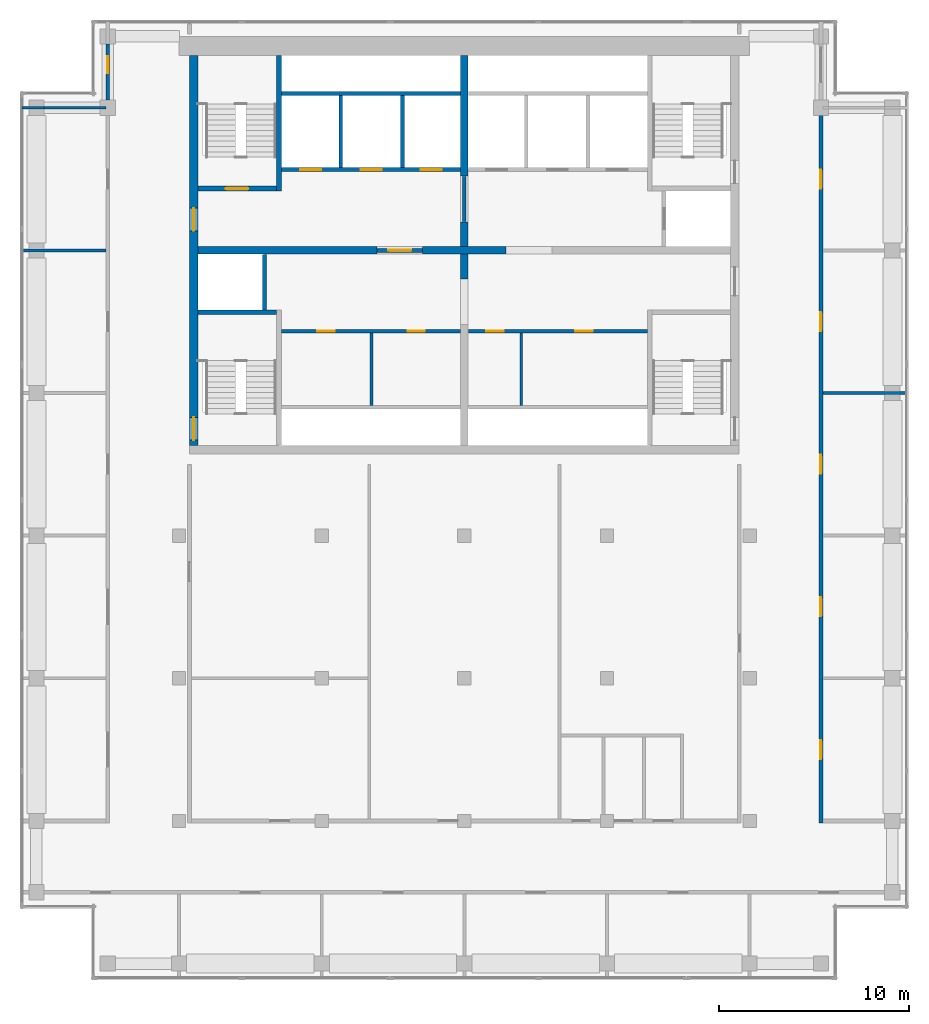
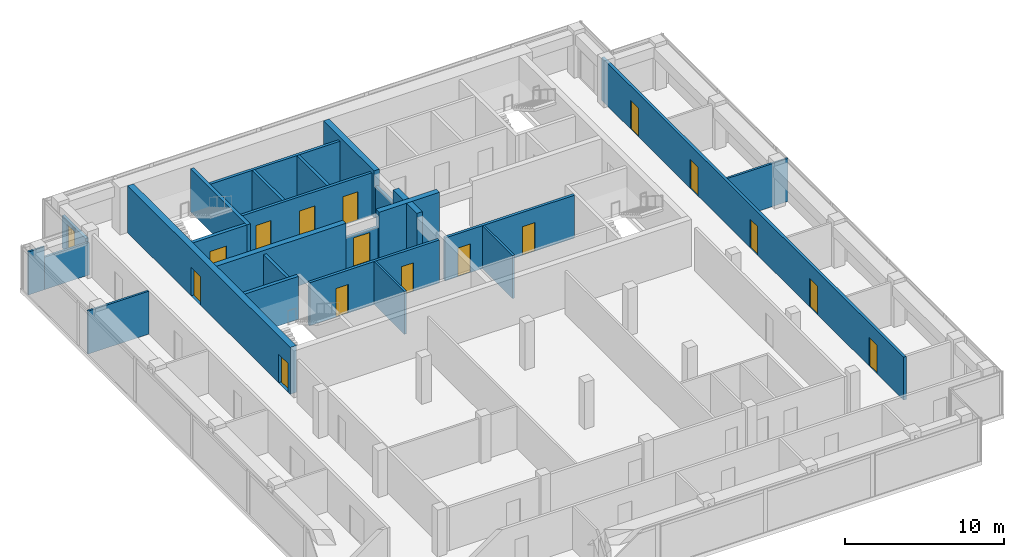
# One storey, part 7 of 9: 26 walls, 17 doors, 17 openings.
"""IFC4 building model written with IfcOpenShell, lengths in metres."""

from ifc_helpers import new_model, si_unit, direction, frame, frame_2d, origin, place, context, subcontext, project, spatial, rectangle, extrude, material, layer, layer_set, type_object, element, fill, save


model = new_model("IFC4")

# Units and contexts
model_context = context("Model", 3, precision=1e-05, world=origin(), true_north=direction((0.0, 1.0)))
body_context = subcontext(model_context, "Body", "Model", "MODEL_VIEW")
ifc_project = project(units=[si_unit("LENGTHUNIT", "METRE"), si_unit("AREAUNIT", "SQUARE_METRE"), si_unit("VOLUMEUNIT", "CUBIC_METRE"), si_unit("PLANEANGLEUNIT", "RADIAN"), si_unit("MASSUNIT", "GRAM", prefix="KILO")], contexts=[model_context])

# Site, building, storey
site_placement = place(None, origin())
site = spatial("IfcSite", under=ifc_project, at=site_placement, CompositionType="ELEMENT")
building_placement = place(site_placement, origin())
building = spatial("IfcBuilding", under=site, at=building_placement, Name="Pilkhan Gate Tower", CompositionType="ELEMENT")
storey_placement = place(building_placement, frame((0.0, 0.0, 262.10009765625)))
storey = spatial("IfcBuildingStorey", under=building, at=storey_placement, Name="L68", CompositionType="ELEMENT", Elevation=262.10009765625)

# Wall, openings, doors
ifc_material_1 = material(Name="Concrete C50/60", Category="concrete")
ifc_layer_1 = layer(ifc_material_1, 0.449951171875)
ifc_layer_set_1 = layer_set([ifc_layer_1], Name="Core wall CW450 C50/60")
wall_type_1 = type_object("IfcWallType", Name="Core wall CW450 C50/60", PredefinedType="SHEAR", material=ifc_layer_set_1)
wall_1_placement = place(storey_placement, frame((60.77490234375, 92.75, 0.0), z_axis=(0.0, 0.0, 1.0), x_axis=(0.0, -1.0, 0.0)))
wall_1 = element("IfcWall", 1, at=wall_1_placement, inside=storey, type_object=wall_type_1, Name="Core wall W L68", PredefinedType="SHEAR", context=body_context, shape_type="SweptSolid", body=[
    extrude(rectangle(XDim=20.5, YDim=0.449951171875, at=frame_2d((10.25, 0.0))), origin(), (0.0, 0.0, 1.0), 3.599853515625),
])
opening_1_placement = place(wall_1_placement, frame((19.02490234375, 0.0, 0.0)))
opening_1 = element("IfcOpeningElement", 2, at=opening_1_placement, cuts=wall_1, Name="Opening L68-04", PredefinedType="OPENING", context=body_context, shape_type="SweptSolid", body=[
    extrude(rectangle(XDim=1.199951171875, YDim=2.199951171875, at=frame_2d((0.60009765625, 1.10009765625))), frame((0.0, 0.23486328125, 0.0), z_axis=(0.0, -1.0, 0.0), x_axis=(1.0, 0.0, 0.0)), (0.0, 0.0, 1.0), 0.469970703125),
])
opening_2_placement = place(wall_1_placement, frame((8.02490234375, 0.0, 0.0)))
opening_2 = element("IfcOpeningElement", 3, at=opening_2_placement, cuts=wall_1, Name="Opening L68-10", PredefinedType="OPENING", context=body_context, shape_type="SweptSolid", body=[
    extrude(rectangle(XDim=1.199951171875, YDim=2.199951171875, at=frame_2d((0.60009765625, 1.10009765625))), frame((0.0, 0.23486328125, 0.0), z_axis=(0.0, -1.0, 0.0), x_axis=(1.0, 0.0, 0.0)), (0.0, 0.0, 1.0), 0.469970703125),
])
ifc_material_2 = material(Name="Steel door, 120 minute fire resisting, self-closing", Category="steel")
door_type_1 = type_object("IfcDoorType", Name="Firefighting lobby door D10 1200x2200", OperationType="SINGLE_SWING_LEFT", PredefinedType="DOOR", material=ifc_material_2)
door_1_placement = place(opening_2_placement, origin())
door_1 = element("IfcDoor", 4, at=door_1_placement, inside=storey, type_object=door_type_1, Name="Core door", OperationType="SINGLE_SWING_LEFT", OverallHeight=2.199951171875, OverallWidth=1.199951171875, PredefinedType="DOOR", context=body_context, shape_type="SweptSolid", body=[
    extrude(rectangle(XDim=1.199951171875, YDim=2.199951171875, at=frame_2d((0.60009765625, 1.10009765625))), frame((0.0, 0.02490234375, 0.0), z_axis=(0.0, -1.0, 0.0), x_axis=(1.0, 0.0, 0.0)), (0.0, 0.0, 1.0), 0.050048828125),
])
fill(opening_2, door_1)
ifc_material_3 = material(Name="Steel door, 120 minute fire resisting, panic bar", Category="steel")
door_type_2 = type_object("IfcDoorType", Name="Stair door D11 1200x2200", OperationType="SINGLE_SWING_LEFT", PredefinedType="DOOR", material=ifc_material_3)
door_2_placement = place(opening_1_placement, origin())
door_2 = element("IfcDoor", 5, at=door_2_placement, inside=storey, type_object=door_type_2, Name="Stair ST2 door", OperationType="SINGLE_SWING_LEFT", OverallHeight=2.199951171875, OverallWidth=1.199951171875, PredefinedType="DOOR", context=body_context, shape_type="SweptSolid", body=[
    extrude(rectangle(XDim=1.199951171875, YDim=2.199951171875, at=frame_2d((0.60009765625, 1.10009765625))), frame((0.0, 0.02490234375, 0.0), z_axis=(0.0, -1.0, 0.0), x_axis=(1.0, 0.0, 0.0)), (0.0, 0.0, 1.0), 0.050048828125),
])
fill(opening_1, door_2)

# Wall, opening, door
ifc_material_4 = material(Name="Dense blockwork", Category="masonry")
ifc_layer_2 = layer(ifc_material_4, 0.199951171875)
ifc_layer_set_2 = layer_set([ifc_layer_2], Name="Corridor wall FW200")
wall_type_2 = type_object("IfcWallType", Name="Corridor wall FW200", PredefinedType="PARTITIONING", material=ifc_layer_set_2)
wall_2_placement = place(storey_placement, frame((56.25, 90.39990234375, 0.0), z_axis=(0.0, 0.0, 1.0), x_axis=(0.0, 1.0, 0.0)))
wall_2 = element("IfcWall", 6, at=wall_2_placement, inside=storey, type_object=wall_type_2, Name="Partition L68", PredefinedType="PARTITIONING", context=body_context, shape_type="SweptSolid", body=[
    extrude(rectangle(XDim=2.9501953125, YDim=0.199951171875, at=frame_2d((1.47509765625, 0.0))), origin(), (0.0, 0.0, 1.0), 2.5),
])
opening_3_placement = place(wall_2_placement, frame((1.39990234375, 0.0, 0.0)))
opening_3 = element("IfcOpeningElement", 7, at=opening_3_placement, cuts=wall_2, Name="Opening L68-31", PredefinedType="OPENING", context=body_context, shape_type="SweptSolid", body=[
    extrude(rectangle(XDim=0.89990234375, YDim=2.199951171875, at=frame_2d((0.449951171875, 1.10009765625))), frame((0.0, 0.10986328125, 0.0), z_axis=(0.0, -1.0, 0.0), x_axis=(1.0, 0.0, 0.0)), (0.0, 0.0, 1.0), 0.219970703125),
])
ifc_material_5 = material(Name="Timber flush door, 60 minute fire resisting, self-closing", Category="wood")
door_type_3 = type_object("IfcDoorType", Name="Store door D05 900x2200", OperationType="SINGLE_SWING_LEFT", PredefinedType="DOOR", material=ifc_material_5)
door_3_placement = place(opening_3_placement, origin())
door_3 = element("IfcDoor", 8, at=door_3_placement, inside=storey, type_object=door_type_3, Name="Store door", OperationType="SINGLE_SWING_LEFT", OverallHeight=2.199951171875, OverallWidth=0.89990234375, PredefinedType="DOOR", context=body_context, shape_type="SweptSolid", body=[
    extrude(rectangle(XDim=0.89990234375, YDim=2.199951171875, at=frame_2d((0.449951171875, 1.10009765625))), frame((0.0, 0.02490234375, 0.0), z_axis=(0.0, -1.0, 0.0), x_axis=(1.0, 0.0, 0.0)), (0.0, 0.0, 1.0), 0.050048828125),
])
fill(opening_3, door_3)

# Wall, openings, doors
wall_3_placement = place(storey_placement, frame((93.75, 52.39990234375, 0.0), z_axis=(0.0, 0.0, 1.0), x_axis=(0.0, 1.0, 0.0)))
wall_3 = element("IfcWall", 9, at=wall_3_placement, inside=storey, type_object=wall_type_2, Name="Partition L68", PredefinedType="PARTITIONING", context=body_context, shape_type="SweptSolid", body=[
    extrude(rectangle(XDim=38.0, YDim=0.199951171875, at=frame_2d((19.0, 0.0))), origin(), (0.0, 0.0, 1.0), 3.2998046875),
])
opening_4_placement = place(wall_3_placement, frame((3.35009765625, 0.0, 0.0)))
opening_4 = element("IfcOpeningElement", 10, at=opening_4_placement, cuts=wall_3, Name="Opening L68-32", PredefinedType="OPENING", context=body_context, shape_type="SweptSolid", body=[
    extrude(rectangle(XDim=1.0, YDim=2.199951171875, at=frame_2d((0.5, 1.10009765625))), frame((0.0, 0.10986328125, 0.0), z_axis=(0.0, -1.0, 0.0), x_axis=(1.0, 0.0, 0.0)), (0.0, 0.0, 1.0), 0.219970703125),
])
opening_5_placement = place(wall_3_placement, frame((10.85009765625, 0.0, 0.0)))
opening_5 = element("IfcOpeningElement", 11, at=opening_5_placement, cuts=wall_3, Name="Opening L68-33", PredefinedType="OPENING", context=body_context, shape_type="SweptSolid", body=[
    extrude(rectangle(XDim=1.0, YDim=2.199951171875, at=frame_2d((0.5, 1.10009765625))), frame((0.0, 0.10986328125, 0.0), z_axis=(0.0, -1.0, 0.0), x_axis=(1.0, 0.0, 0.0)), (0.0, 0.0, 1.0), 0.219970703125),
])
opening_6_placement = place(wall_3_placement, frame((18.35009765625, 0.0, 0.0)))
opening_6 = element("IfcOpeningElement", 12, at=opening_6_placement, cuts=wall_3, Name="Opening L68-34", PredefinedType="OPENING", context=body_context, shape_type="SweptSolid", body=[
    extrude(rectangle(XDim=1.0, YDim=2.199951171875, at=frame_2d((0.5, 1.10009765625))), frame((0.0, 0.10986328125, 0.0), z_axis=(0.0, -1.0, 0.0), x_axis=(1.0, 0.0, 0.0)), (0.0, 0.0, 1.0), 0.219970703125),
])
opening_7_placement = place(wall_3_placement, frame((25.85009765625, 0.0, 0.0)))
opening_7 = element("IfcOpeningElement", 13, at=opening_7_placement, cuts=wall_3, Name="Opening L68-35", PredefinedType="OPENING", context=body_context, shape_type="SweptSolid", body=[
    extrude(rectangle(XDim=1.0, YDim=2.199951171875, at=frame_2d((0.5, 1.10009765625))), frame((0.0, 0.10986328125, 0.0), z_axis=(0.0, -1.0, 0.0), x_axis=(1.0, 0.0, 0.0)), (0.0, 0.0, 1.0), 0.219970703125),
])
opening_8_placement = place(wall_3_placement, frame((33.35009765625, 0.0, 0.0)))
opening_8 = element("IfcOpeningElement", 14, at=opening_8_placement, cuts=wall_3, Name="Opening L68-36", PredefinedType="OPENING", context=body_context, shape_type="SweptSolid", body=[
    extrude(rectangle(XDim=1.0, YDim=2.199951171875, at=frame_2d((0.5, 1.10009765625))), frame((0.0, 0.10986328125, 0.0), z_axis=(0.0, -1.0, 0.0), x_axis=(1.0, 0.0, 0.0)), (0.0, 0.0, 1.0), 0.219970703125),
])
ifc_material_6 = material(Name="Timber flush door, 30 minute fire resisting", Category="wood")
door_type_4 = type_object("IfcDoorType", Name="Room door D03 1000x2200", OperationType="SINGLE_SWING_LEFT", PredefinedType="DOOR", material=ifc_material_6)
door_4_placement = place(opening_4_placement, origin())
door_4 = element("IfcDoor", 15, at=door_4_placement, inside=storey, type_object=door_type_4, Name="Room door", OperationType="SINGLE_SWING_LEFT", OverallHeight=2.199951171875, OverallWidth=1.0, PredefinedType="DOOR", context=body_context, shape_type="SweptSolid", body=[
    extrude(rectangle(XDim=1.0, YDim=2.199951171875, at=frame_2d((0.5, 1.10009765625))), frame((0.0, 0.02490234375, 0.0), z_axis=(0.0, -1.0, 0.0), x_axis=(1.0, 0.0, 0.0)), (0.0, 0.0, 1.0), 0.050048828125),
])
fill(opening_4, door_4)
door_5_placement = place(opening_5_placement, origin())
door_5 = element("IfcDoor", 16, at=door_5_placement, inside=storey, type_object=door_type_4, Name="Room door", OperationType="SINGLE_SWING_LEFT", OverallHeight=2.199951171875, OverallWidth=1.0, PredefinedType="DOOR", context=body_context, shape_type="SweptSolid", body=[
    extrude(rectangle(XDim=1.0, YDim=2.199951171875, at=frame_2d((0.5, 1.10009765625))), frame((0.0, 0.02490234375, 0.0), z_axis=(0.0, -1.0, 0.0), x_axis=(1.0, 0.0, 0.0)), (0.0, 0.0, 1.0), 0.050048828125),
])
fill(opening_5, door_5)
door_6_placement = place(opening_6_placement, origin())
door_6 = element("IfcDoor", 17, at=door_6_placement, inside=storey, type_object=door_type_4, Name="Room door", OperationType="SINGLE_SWING_RIGHT", OverallHeight=2.199951171875, OverallWidth=1.0, PredefinedType="DOOR", context=body_context, shape_type="SweptSolid", body=[
    extrude(rectangle(XDim=1.0, YDim=2.199951171875, at=frame_2d((0.5, 1.10009765625))), frame((0.0, 0.02490234375, 0.0), z_axis=(0.0, -1.0, 0.0), x_axis=(1.0, 0.0, 0.0)), (0.0, 0.0, 1.0), 0.050048828125),
])
fill(opening_6, door_6)
door_7_placement = place(opening_7_placement, origin())
door_7 = element("IfcDoor", 18, at=door_7_placement, inside=storey, type_object=door_type_4, Name="Room door", OperationType="SINGLE_SWING_LEFT", OverallHeight=2.199951171875, OverallWidth=1.0, PredefinedType="DOOR", context=body_context, shape_type="SweptSolid", body=[
    extrude(rectangle(XDim=1.0, YDim=2.199951171875, at=frame_2d((0.5, 1.10009765625))), frame((0.0, 0.02490234375, 0.0), z_axis=(0.0, -1.0, 0.0), x_axis=(1.0, 0.0, 0.0)), (0.0, 0.0, 1.0), 0.050048828125),
])
fill(opening_7, door_7)
door_8_placement = place(opening_8_placement, origin())
door_8 = element("IfcDoor", 19, at=door_8_placement, inside=storey, type_object=door_type_4, Name="Room door", OperationType="SINGLE_SWING_LEFT", OverallHeight=2.199951171875, OverallWidth=1.0, PredefinedType="DOOR", context=body_context, shape_type="SweptSolid", body=[
    extrude(rectangle(XDim=1.0, YDim=2.199951171875, at=frame_2d((0.5, 1.10009765625))), frame((0.0, 0.02490234375, 0.0), z_axis=(0.0, -1.0, 0.0), x_axis=(1.0, 0.0, 0.0)), (0.0, 0.0, 1.0), 0.050048828125),
])
fill(opening_8, door_8)

ifc_layer_3 = layer(ifc_material_4, 0.199951171875)
ifc_layer_set_3 = layer_set([ifc_layer_3], Name="Lobby wall LW200")
wall_type_3 = type_object("IfcWallType", Name="Lobby wall LW200", PredefinedType="PARTITIONING", material=ifc_layer_set_3)
wall_4_placement = place(storey_placement, frame((65.375, 78.25, 0.0), z_axis=(0.0, 0.0, 1.0), x_axis=(1.0, 0.0, 0.0)))
wall_4 = element("IfcWall", 20, at=wall_4_placement, inside=storey, type_object=wall_type_3, Name="Partition L68", PredefinedType="PARTITIONING", context=body_context, shape_type="SweptSolid", body=[
    extrude(rectangle(XDim=9.4150390625, YDim=0.199951171875, at=frame_2d((4.70751953125, 0.0))), origin(), (0.0, 0.0, 1.0), 3.2998046875),
])
opening_9_placement = place(wall_4_placement, frame((1.89990234375, 0.0, 0.0)))
opening_9 = element("IfcOpeningElement", 21, at=opening_9_placement, cuts=wall_4, Name="Opening L68-11", PredefinedType="OPENING", context=body_context, shape_type="SweptSolid", body=[
    extrude(rectangle(XDim=0.89990234375, YDim=2.199951171875, at=frame_2d((0.449951171875, 1.10009765625))), frame((0.0, 0.10986328125, 0.0), z_axis=(0.0, -1.0, 0.0), x_axis=(1.0, 0.0, 0.0)), (0.0, 0.0, 1.0), 0.219970703125),
])
opening_10_placement = place(wall_4_placement, frame((6.64990234375, 0.0, 0.0)))
opening_10 = element("IfcOpeningElement", 22, at=opening_10_placement, cuts=wall_4, Name="Opening L68-12", PredefinedType="OPENING", context=body_context, shape_type="SweptSolid", body=[
    extrude(rectangle(XDim=0.89990234375, YDim=2.199951171875, at=frame_2d((0.449951171875, 1.10009765625))), frame((0.0, 0.10986328125, 0.0), z_axis=(0.0, -1.0, 0.0), x_axis=(1.0, 0.0, 0.0)), (0.0, 0.0, 1.0), 0.219970703125),
])
door_9_placement = place(opening_9_placement, origin())
door_9 = element("IfcDoor", 23, at=door_9_placement, inside=storey, type_object=door_type_3, Name="Store door", OperationType="SINGLE_SWING_RIGHT", OverallHeight=2.199951171875, OverallWidth=0.89990234375, PredefinedType="DOOR", context=body_context, shape_type="SweptSolid", body=[
    extrude(rectangle(XDim=0.89990234375, YDim=2.199951171875, at=frame_2d((0.449951171875, 1.10009765625))), frame((0.0, 0.02490234375, 0.0), z_axis=(0.0, -1.0, 0.0), x_axis=(1.0, 0.0, 0.0)), (0.0, 0.0, 1.0), 0.050048828125),
])
fill(opening_9, door_9)
door_10_placement = place(opening_10_placement, origin())
door_10 = element("IfcDoor", 24, at=door_10_placement, inside=storey, type_object=door_type_3, Name="Store door", OperationType="SINGLE_SWING_LEFT", OverallHeight=2.199951171875, OverallWidth=0.89990234375, PredefinedType="DOOR", context=body_context, shape_type="SweptSolid", body=[
    extrude(rectangle(XDim=0.89990234375, YDim=2.199951171875, at=frame_2d((0.449951171875, 1.10009765625))), frame((0.0, 0.02490234375, 0.0), z_axis=(0.0, -1.0, 0.0), x_axis=(1.0, 0.0, 0.0)), (0.0, 0.0, 1.0), 0.050048828125),
])
fill(opening_10, door_10)

wall_5_placement = place(storey_placement, frame((75.2099609375, 78.25, 0.0), z_axis=(0.0, 0.0, 1.0), x_axis=(1.0, 0.0, 0.0)))
wall_5 = element("IfcWall", 25, at=wall_5_placement, inside=storey, type_object=wall_type_3, Name="Partition L68", PredefinedType="PARTITIONING", context=body_context, shape_type="SweptSolid", body=[
    extrude(rectangle(XDim=9.4150390625, YDim=0.199951171875, at=frame_2d((4.70751953125, 0.0))), origin(), (0.0, 0.0, 1.0), 3.2998046875),
])
opening_11_placement = place(wall_5_placement, frame((0.949951171875, 0.0, 0.0)))
opening_11 = element("IfcOpeningElement", 26, at=opening_11_placement, cuts=wall_5, Name="Opening L68-13", PredefinedType="OPENING", context=body_context, shape_type="SweptSolid", body=[
    extrude(rectangle(XDim=0.89990234375, YDim=2.199951171875, at=frame_2d((0.449951171875, 1.10009765625))), frame((0.0, 0.10986328125, 0.0), z_axis=(0.0, -1.0, 0.0), x_axis=(1.0, 0.0, 0.0)), (0.0, 0.0, 1.0), 0.219970703125),
])
opening_12_placement = place(wall_5_placement, frame((5.6298828125, 0.0, 0.0)))
opening_12 = element("IfcOpeningElement", 27, at=opening_12_placement, cuts=wall_5, Name="Opening L68-14", PredefinedType="OPENING", context=body_context, shape_type="SweptSolid", body=[
    extrude(rectangle(XDim=0.89990234375, YDim=2.199951171875, at=frame_2d((0.449951171875, 1.10009765625))), frame((0.0, 0.10986328125, 0.0), z_axis=(0.0, -1.0, 0.0), x_axis=(1.0, 0.0, 0.0)), (0.0, 0.0, 1.0), 0.219970703125),
])
door_11_placement = place(opening_11_placement, origin())
door_11 = element("IfcDoor", 28, at=door_11_placement, inside=storey, type_object=door_type_3, Name="Store door", OperationType="SINGLE_SWING_RIGHT", OverallHeight=2.199951171875, OverallWidth=0.89990234375, PredefinedType="DOOR", context=body_context, shape_type="SweptSolid", body=[
    extrude(rectangle(XDim=0.89990234375, YDim=2.199951171875, at=frame_2d((0.449951171875, 1.10009765625))), frame((0.0, 0.02490234375, 0.0), z_axis=(0.0, -1.0, 0.0), x_axis=(1.0, 0.0, 0.0)), (0.0, 0.0, 1.0), 0.050048828125),
])
fill(opening_11, door_11)
door_12_placement = place(opening_12_placement, origin())
door_12 = element("IfcDoor", 29, at=door_12_placement, inside=storey, type_object=door_type_3, Name="Store door", OperationType="SINGLE_SWING_RIGHT", OverallHeight=2.199951171875, OverallWidth=0.89990234375, PredefinedType="DOOR", context=body_context, shape_type="SweptSolid", body=[
    extrude(rectangle(XDim=0.89990234375, YDim=2.199951171875, at=frame_2d((0.449951171875, 1.10009765625))), frame((0.0, 0.02490234375, 0.0), z_axis=(0.0, -1.0, 0.0), x_axis=(1.0, 0.0, 0.0)), (0.0, 0.0, 1.0), 0.050048828125),
])
fill(opening_12, door_12)

# Wall, opening, door
wall_6_placement = place(storey_placement, frame((70.409912109375, 82.5, 0.0), z_axis=(0.0, 0.0, 1.0), x_axis=(1.0, 0.0, 0.0)))
wall_6 = element("IfcWall", 30, at=wall_6_placement, inside=storey, type_object=wall_type_3, Name="Partition L68", PredefinedType="PARTITIONING", context=body_context, shape_type="SweptSolid", body=[
    extrude(rectangle(XDim=2.380126953125, YDim=0.199951171875, at=frame_2d((1.18994140625, 0.0))), origin(), (0.0, 0.0, 1.0), 2.39990234375),
])
opening_13_placement = place(wall_6_placement, frame((0.60009765625, 0.0, 0.0)))
opening_13 = element("IfcOpeningElement", 31, at=opening_13_placement, cuts=wall_6, Name="Opening L68-01", PredefinedType="OPENING", context=body_context, shape_type="SweptSolid", body=[
    extrude(rectangle(XDim=1.199951171875, YDim=2.199951171875, at=frame_2d((0.60009765625, 1.10009765625))), frame((0.0, 0.10986328125, 0.0), z_axis=(0.0, -1.0, 0.0), x_axis=(1.0, 0.0, 0.0)), (0.0, 0.0, 1.0), 0.219970703125),
])
door_13_placement = place(opening_13_placement, origin())
door_13 = element("IfcDoor", 32, at=door_13_placement, inside=storey, type_object=door_type_1, Name="Firefighting lobby door", OperationType="SINGLE_SWING_LEFT", OverallHeight=2.199951171875, OverallWidth=1.199951171875, PredefinedType="DOOR", context=body_context, shape_type="SweptSolid", body=[
    extrude(rectangle(XDim=1.199951171875, YDim=2.199951171875, at=frame_2d((0.60009765625, 1.10009765625))), frame((0.0, 0.02490234375, 0.0), z_axis=(0.0, -1.0, 0.0), x_axis=(1.0, 0.0, 0.0)), (0.0, 0.0, 1.0), 0.050048828125),
])
fill(opening_13, door_13)

# Walls
wall_7_placement = place(storey_placement, frame((75.0, 84.010009765625, 0.0), z_axis=(0.0, 0.0, 1.0), x_axis=(0.0, 1.0, 0.0)))
element("IfcWall", 33, at=wall_7_placement, inside=storey, type_object=wall_type_3, Name="Partition L68", PredefinedType="PARTITIONING", context=body_context, shape_type="SweptSolid", body=[
    extrude(rectangle(XDim=2.3798828125, YDim=0.199951171875, at=frame_2d((1.18994140625, 0.0))), origin(), (0.0, 0.0, 1.0), 2.39990234375),
])
ifc_material_7 = material(Name="Blockwork partition, plastered both sides", Category="masonry")
ifc_layer_4 = layer(ifc_material_7, 0.14990234375)
ifc_layer_set_4 = layer_set([ifc_layer_4], Name="Partition PW150")
wall_type_4 = type_object("IfcWallType", Name="Partition PW150", PredefinedType="PARTITIONING", material=ifc_layer_set_4)
for number, where, z_axis, x_axis, name in (
    (34, (93.85009765625, 75.0, 0.0), (0.0, 0.0, 1.0), (1.0, 0.0, 0.0), "Partition L68"),
    (35, (51.735107421875, 82.5, 0.0), (0.0, 0.0, 1.0), (1.0, 0.0, 0.0), "Partition L68"),
):
    element("IfcWall", number, at=place(storey_placement, frame(where, z_axis=z_axis, x_axis=x_axis)), inside=storey, type_object=wall_type_4, Name=name, PredefinedType="PARTITIONING", context=body_context, shape_type="SweptSolid", body=[
        extrude(rectangle(XDim=4.414794921875, YDim=0.14990234375, at=frame_2d((2.20751953125, 0.0))), origin(), (0.0, 0.0, 1.0), 3.2998046875),
    ])
wall_8_placement = place(storey_placement, frame((51.735107421875, 90.0, 0.0), z_axis=(0.0, 0.0, 1.0), x_axis=(1.0, 0.0, 0.0)))
element("IfcWall", 36, at=wall_8_placement, inside=storey, type_object=wall_type_4, Name="Partition L68", PredefinedType="PARTITIONING", context=body_context, shape_type="SweptSolid", body=[
    extrude(rectangle(XDim=1.163818359375, YDim=0.14990234375, at=frame_2d((0.58203125, 0.0))), origin(), (0.0, 0.0, 1.0), 3.2998046875),
])
wall_9_placement = place(storey_placement, frame((52.89892578125, 90.0, 0.0), z_axis=(0.0, 0.0, 1.0), x_axis=(1.0, 0.0, 0.0)))
element("IfcWall", 37, at=wall_9_placement, inside=storey, type_object=wall_type_4, Name="Partition L68", PredefinedType="PARTITIONING", context=body_context, shape_type="SweptSolid", body=[
    extrude(rectangle(XDim=3.2509765625, YDim=0.14990234375, at=frame_2d((1.62548828125, 0.0))), origin(), (0.0, 0.0, 1.0), 2.5),
])
for number, where, z_axis, x_axis, name in (
    (38, (70.125, 74.35009765625, 0.0), (0.0, 0.0, 1.0), (0.0, 1.0, 0.0), "Partition L68"),
    (39, (77.989990234375, 74.35009765625, 0.0), (0.0, 0.0, 1.0), (0.0, 1.0, 0.0), "Partition L68"),
):
    element("IfcWall", number, at=place(storey_placement, frame(where, z_axis=z_axis, x_axis=x_axis)), inside=storey, type_object=wall_type_4, Name=name, PredefinedType="PARTITIONING", context=body_context, shape_type="SweptSolid", body=[
        extrude(rectangle(XDim=3.7998046875, YDim=0.14990234375, at=frame_2d((1.89990234375, 0.0))), origin(), (0.0, 0.0, 1.0), 3.2998046875),
    ])

# Wall, openings, doors
ifc_material_8 = material(Name="Reinforced blockwork shaft wall, 120 minute fire resisting", Category="masonry")
ifc_layer_5 = layer(ifc_material_8, 0.199951171875)
ifc_layer_set_5 = layer_set([ifc_layer_5], Name="Shaft wall SW200")
wall_type_5 = type_object("IfcWallType", Name="Shaft wall SW200", PredefinedType="PARTITIONING", material=ifc_layer_set_5)
wall_10_placement = place(storey_placement, frame((65.375, 86.75, 0.0), z_axis=(0.0, 0.0, 1.0), x_axis=(1.0, 0.0, 0.0)))
wall_10 = element("IfcWall", 40, at=wall_10_placement, inside=storey, type_object=wall_type_5, Name="Partition L68", PredefinedType="PARTITIONING", context=body_context, shape_type="SweptSolid", body=[
    extrude(rectangle(XDim=9.4150390625, YDim=0.199951171875, at=frame_2d((4.70751953125, 0.0))), origin(), (0.0, 0.0, 1.0), 3.2998046875),
])
opening_14_placement = place(wall_10_placement, frame((1.0, 0.0, 0.0)))
opening_14 = element("IfcOpeningElement", 41, at=opening_14_placement, cuts=wall_10, Name="Opening LD", PredefinedType="OPENING", context=body_context, shape_type="SweptSolid", body=[
    extrude(rectangle(XDim=1.10009765625, YDim=2.199951171875, at=frame_2d((0.550048828125, 1.10009765625))), frame((0.0, 0.10986328125, 0.0), z_axis=(0.0, -1.0, 0.0), x_axis=(1.0, 0.0, 0.0)), (0.0, 0.0, 1.0), 0.219970703125),
])
opening_15_placement = place(wall_10_placement, frame((4.175048828125, 0.0, 0.0)))
opening_15 = element("IfcOpeningElement", 42, at=opening_15_placement, cuts=wall_10, Name="Opening LD", PredefinedType="OPENING", context=body_context, shape_type="SweptSolid", body=[
    extrude(rectangle(XDim=1.10009765625, YDim=2.199951171875, at=frame_2d((0.550048828125, 1.10009765625))), frame((0.0, 0.10986328125, 0.0), z_axis=(0.0, -1.0, 0.0), x_axis=(1.0, 0.0, 0.0)), (0.0, 0.0, 1.0), 0.219970703125),
])
opening_16_placement = place(wall_10_placement, frame((7.324951171875, 0.0, 0.0)))
opening_16 = element("IfcOpeningElement", 43, at=opening_16_placement, cuts=wall_10, Name="Opening LD", PredefinedType="OPENING", context=body_context, shape_type="SweptSolid", body=[
    extrude(rectangle(XDim=1.10009765625, YDim=2.199951171875, at=frame_2d((0.550048828125, 1.10009765625))), frame((0.0, 0.10986328125, 0.0), z_axis=(0.0, -1.0, 0.0), x_axis=(1.0, 0.0, 0.0)), (0.0, 0.0, 1.0), 0.219970703125),
])
ifc_material_9 = material(Name="Stainless steel centre-opening landing door, 120 minute fire resisting", Category="steel")
door_type_5 = type_object("IfcDoorType", Name="Lift landing door LD 1100x2200", OperationType="DOUBLE_DOOR_SLIDING", PredefinedType="DOOR", material=ifc_material_9)
door_14_placement = place(opening_14_placement, origin())
door_14 = element("IfcDoor", 44, at=door_14_placement, inside=storey, type_object=door_type_5, Name="Landing door FF1", OperationType="DOUBLE_DOOR_SLIDING", OverallHeight=2.199951171875, OverallWidth=1.10009765625, PredefinedType="DOOR", context=body_context, shape_type="SweptSolid", body=[
    extrude(rectangle(XDim=1.10009765625, YDim=2.199951171875, at=frame_2d((0.550048828125, 1.10009765625))), frame((0.0, 0.02490234375, 0.0), z_axis=(0.0, -1.0, 0.0), x_axis=(1.0, 0.0, 0.0)), (0.0, 0.0, 1.0), 0.050048828125),
])
fill(opening_14, door_14)
door_15_placement = place(opening_15_placement, origin())
door_15 = element("IfcDoor", 45, at=door_15_placement, inside=storey, type_object=door_type_5, Name="Landing door FF2", OperationType="DOUBLE_DOOR_SLIDING", OverallHeight=2.199951171875, OverallWidth=1.10009765625, PredefinedType="DOOR", context=body_context, shape_type="SweptSolid", body=[
    extrude(rectangle(XDim=1.10009765625, YDim=2.199951171875, at=frame_2d((0.550048828125, 1.10009765625))), frame((0.0, 0.02490234375, 0.0), z_axis=(0.0, -1.0, 0.0), x_axis=(1.0, 0.0, 0.0)), (0.0, 0.0, 1.0), 0.050048828125),
])
fill(opening_15, door_15)
door_16_placement = place(opening_16_placement, origin())
door_16 = element("IfcDoor", 46, at=door_16_placement, inside=storey, type_object=door_type_5, Name="Landing door SV1", OperationType="DOUBLE_DOOR_SLIDING", OverallHeight=2.199951171875, OverallWidth=1.10009765625, PredefinedType="DOOR", context=body_context, shape_type="SweptSolid", body=[
    extrude(rectangle(XDim=1.10009765625, YDim=2.199951171875, at=frame_2d((0.550048828125, 1.10009765625))), frame((0.0, 0.02490234375, 0.0), z_axis=(0.0, -1.0, 0.0), x_axis=(1.0, 0.0, 0.0)), (0.0, 0.0, 1.0), 0.050048828125),
])
fill(opening_16, door_16)

# Walls
wall_11_placement = place(storey_placement, frame((65.375, 90.75, 0.0), z_axis=(0.0, 0.0, 1.0), x_axis=(1.0, 0.0, 0.0)))
element("IfcWall", 47, at=wall_11_placement, inside=storey, type_object=wall_type_5, Name="Partition L68", PredefinedType="PARTITIONING", context=body_context, shape_type="SweptSolid", body=[
    extrude(rectangle(XDim=9.4150390625, YDim=0.199951171875, at=frame_2d((4.70751953125, 0.0))), origin(), (0.0, 0.0, 1.0), 3.2998046875),
])
wall_12_placement = place(storey_placement, frame((64.5, 79.375, 0.0), z_axis=(0.0, 0.0, 1.0), x_axis=(0.0, 1.0, 0.0)))
element("IfcWall", 48, at=wall_12_placement, inside=storey, type_object=wall_type_5, Name="Partition L68", PredefinedType="PARTITIONING", context=body_context, shape_type="SweptSolid", body=[
    extrude(rectangle(XDim=2.9150390625, YDim=0.199951171875, at=frame_2d((1.45751953125, 0.0))), origin(), (0.0, 0.0, 1.0), 3.2998046875),
])
for number, where, z_axis, x_axis, name in (
    (49, (68.5, 86.85009765625, 0.0), (0.0, 0.0, 1.0), (0.0, 1.0, 0.0), "Partition L68"),
    (50, (71.75, 86.85009765625, 0.0), (0.0, 0.0, 1.0), (0.0, 1.0, 0.0), "Partition L68"),
):
    element("IfcWall", number, at=place(storey_placement, frame(where, z_axis=z_axis, x_axis=x_axis)), inside=storey, type_object=wall_type_5, Name=name, PredefinedType="PARTITIONING", context=body_context, shape_type="SweptSolid", body=[
        extrude(rectangle(XDim=3.7998046875, YDim=0.199951171875, at=frame_2d((1.89990234375, 0.0))), origin(), (0.0, 0.0, 1.0), 3.2998046875),
    ])
ifc_layer_6 = layer(ifc_material_1, 0.39990234375)
ifc_layer_set_6 = layer_set([ifc_layer_6], Name="Spine wall SW400 C50/60")
wall_type_6 = type_object("IfcWallType", Name="Spine wall SW400 C50/60", PredefinedType="SHEAR", material=ifc_layer_set_6)
wall_13_placement = place(storey_placement, frame((61.0, 82.5, 0.0), z_axis=(0.0, 0.0, 1.0), x_axis=(1.0, 0.0, 0.0)))
element("IfcWall", 51, at=wall_13_placement, inside=storey, type_object=wall_type_6, Name="Spine wall SP-EW1 L68", PredefinedType="SHEAR", context=body_context, shape_type="SweptSolid", body=[
    extrude(rectangle(XDim=9.39990234375, YDim=0.39990234375, at=frame_2d((4.699951171875, 0.0))), origin(), (0.0, 0.0, 1.0), 3.599853515625),
])
wall_14_placement = place(storey_placement, frame((72.800048828125, 82.5, 0.0), z_axis=(0.0, 0.0, 1.0), x_axis=(1.0, 0.0, 0.0)))
element("IfcWall", 52, at=wall_14_placement, inside=storey, type_object=wall_type_6, Name="Spine wall SP-EW2 L68", PredefinedType="SHEAR", context=body_context, shape_type="SweptSolid", body=[
    extrude(rectangle(XDim=4.39990234375, YDim=0.39990234375, at=frame_2d((2.199951171875, 0.0))), origin(), (0.0, 0.0, 1.0), 3.599853515625),
])
for number, where, z_axis, x_axis, name in (
    (53, (75.0, 81.0, 0.0), (0.0, 0.0, 1.0), (0.0, 1.0, 0.0), "Spine wall SP-NS-S2 L68"),
    (54, (75.0, 82.699951171875, 0.0), (0.0, 0.0, 1.0), (0.0, 1.0, 0.0), "Spine wall SP-NS-N1 L68"),
):
    element("IfcWall", number, at=place(storey_placement, frame(where, z_axis=z_axis, x_axis=x_axis)), inside=storey, type_object=wall_type_6, Name=name, PredefinedType="SHEAR", context=body_context, shape_type="SweptSolid", body=[
        extrude(rectangle(XDim=1.300048828125, YDim=0.39990234375, at=frame_2d((0.64990234375, 0.0))), origin(), (0.0, 0.0, 1.0), 3.599853515625),
    ])
wall_15_placement = place(storey_placement, frame((75.0, 86.39990234375, 0.0), z_axis=(0.0, 0.0, 1.0), x_axis=(0.0, 1.0, 0.0)))
element("IfcWall", 55, at=wall_15_placement, inside=storey, type_object=wall_type_6, Name="Spine wall SP-NS-N2 L68", PredefinedType="SHEAR", context=body_context, shape_type="SweptSolid", body=[
    extrude(rectangle(XDim=6.35009765625, YDim=0.39990234375, at=frame_2d((3.175048828125, 0.0))), origin(), (0.0, 0.0, 1.0), 3.599853515625),
])
ifc_material_10 = material(Name="Reinforced blockwork, 120 minute fire resisting", Category="masonry")
ifc_layer_7 = layer(ifc_material_10, 0.25)
ifc_layer_set_7 = layer_set([ifc_layer_7], Name="Stair enclosure wall SE250")
wall_type_7 = type_object("IfcWallType", Name="Stair enclosure wall SE250", PredefinedType="PARTITIONING", material=ifc_layer_set_7)
wall_16_placement = place(storey_placement, frame((61.0, 79.25, 0.0), z_axis=(0.0, 0.0, 1.0), x_axis=(1.0, 0.0, 0.0)))
element("IfcWall", 56, at=wall_16_placement, inside=storey, type_object=wall_type_7, Name="Partition L68", PredefinedType="PARTITIONING", context=body_context, shape_type="SweptSolid", body=[
    extrude(rectangle(XDim=4.125, YDim=0.25, at=frame_2d((2.0625, 0.0))), origin(), (0.0, 0.0, 1.0), 3.2998046875),
])

# Wall, opening, door
wall_17_placement = place(storey_placement, frame((61.0, 85.75, 0.0), z_axis=(0.0, 0.0, 1.0), x_axis=(1.0, 0.0, 0.0)))
wall_17 = element("IfcWall", 57, at=wall_17_placement, inside=storey, type_object=wall_type_7, Name="Partition L68", PredefinedType="PARTITIONING", context=body_context, shape_type="SweptSolid", body=[
    extrude(rectangle(XDim=4.125, YDim=0.25, at=frame_2d((2.0625, 0.0))), origin(), (0.0, 0.0, 1.0), 3.2998046875),
])
opening_17_placement = place(wall_17_placement, frame((1.449951171875, 0.0, 0.0)))
opening_17 = element("IfcOpeningElement", 58, at=opening_17_placement, cuts=wall_17, Name="Opening L68-02", PredefinedType="OPENING", context=body_context, shape_type="SweptSolid", body=[
    extrude(rectangle(XDim=1.199951171875, YDim=2.199951171875, at=frame_2d((0.60009765625, 1.10009765625))), frame((0.0, 0.135009765625, 0.0), z_axis=(0.0, -1.0, 0.0), x_axis=(1.0, 0.0, 0.0)), (0.0, 0.0, 1.0), 0.27001953125),
])
door_17_placement = place(opening_17_placement, origin())
door_17 = element("IfcDoor", 59, at=door_17_placement, inside=storey, type_object=door_type_2, Name="Stair ST3 lobby door", OperationType="SINGLE_SWING_LEFT", OverallHeight=2.199951171875, OverallWidth=1.199951171875, PredefinedType="DOOR", context=body_context, shape_type="SweptSolid", body=[
    extrude(rectangle(XDim=1.199951171875, YDim=2.199951171875, at=frame_2d((0.60009765625, 1.10009765625))), frame((0.0, 0.02490234375, 0.0), z_axis=(0.0, -1.0, 0.0), x_axis=(1.0, 0.0, 0.0)), (0.0, 0.0, 1.0), 0.050048828125),
])
fill(opening_17, door_17)

# Wall
wall_18_placement = place(storey_placement, frame((65.25, 85.625, 0.0), z_axis=(0.0, 0.0, 1.0), x_axis=(0.0, 1.0, 0.0)))
element("IfcWall", 60, at=wall_18_placement, inside=storey, type_object=wall_type_7, Name="Partition L68", PredefinedType="PARTITIONING", context=body_context, shape_type="SweptSolid", body=[
    extrude(rectangle(XDim=7.114990234375, YDim=0.25, at=frame_2d((3.5576171875, 0.0))), origin(), (0.0, 0.0, 1.0), 3.2998046875),
])

save(model, "model.ifc")
